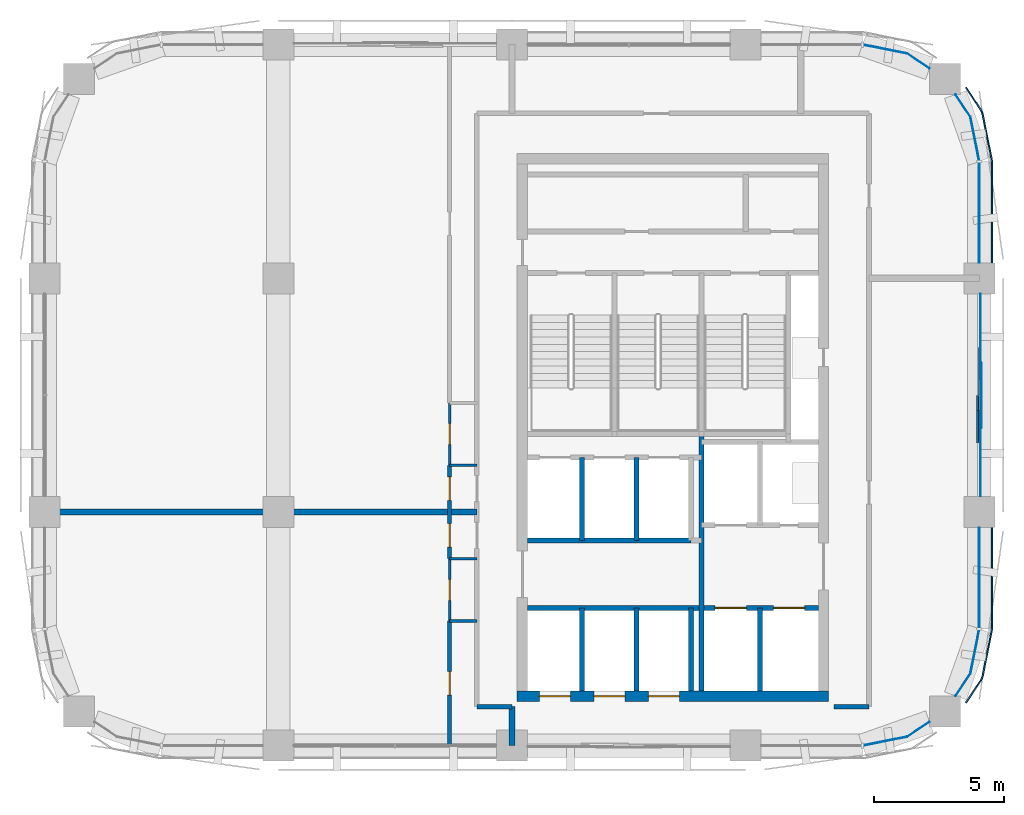
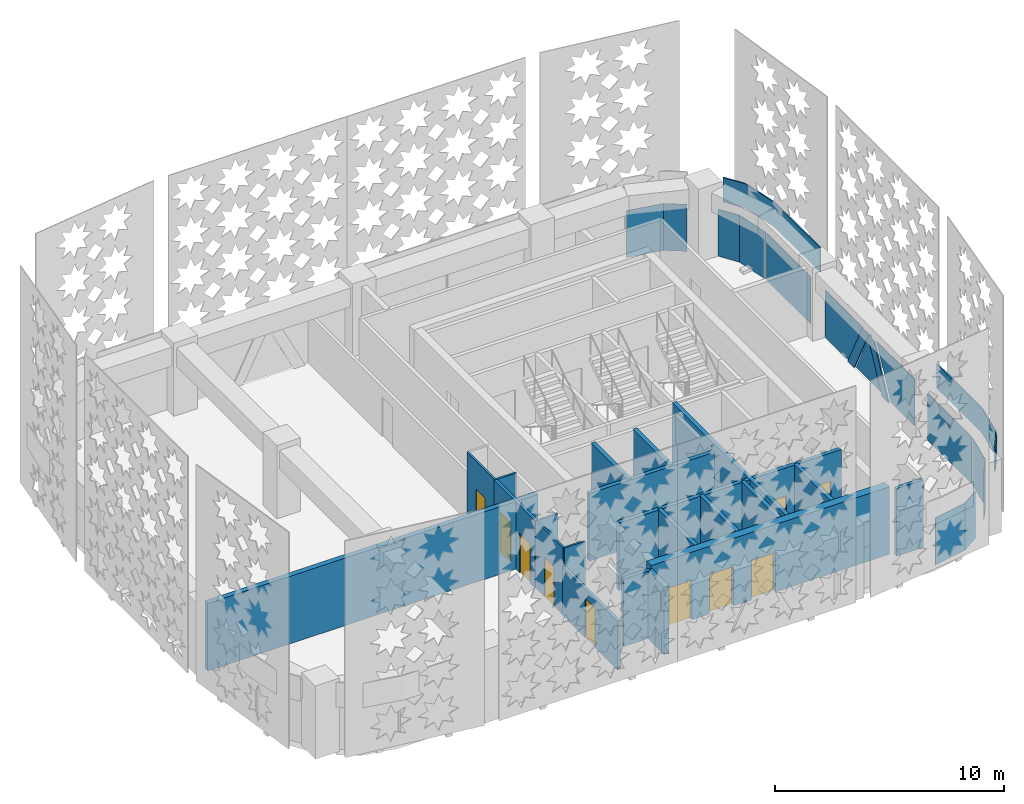
# One storey, part 6 of 14: 21 walls, 13 plates, 10 doors, 10 openings, 5 elements without a shape of their own.
"""IFC4 building model written with IfcOpenShell, lengths in metres."""

from ifc_helpers import new_model, si_unit, direction, frame, frame_2d, origin, origin_2d, place, context, subcontext, project, spatial, polyline, rectangle, outline, extrude, material, layer, layer_set, type_object, element, fill, aggregate, save


model = new_model("IFC4")

# Units and contexts
model_context = context("Model", 3, precision=1e-05, world=origin(), true_north=direction((0.0, 1.0)))
body_context = subcontext(model_context, "Body", "Model", "MODEL_VIEW")
ifc_project = project(units=[si_unit("LENGTHUNIT", "METRE"), si_unit("AREAUNIT", "SQUARE_METRE"), si_unit("VOLUMEUNIT", "CUBIC_METRE"), si_unit("PLANEANGLEUNIT", "RADIAN"), si_unit("MASSUNIT", "GRAM", prefix="KILO")], contexts=[model_context])

# Site, building, storey
site_placement = place(None, origin())
site = spatial("IfcSite", under=ifc_project, at=site_placement, CompositionType="ELEMENT")
building_placement = place(site_placement, origin())
building = spatial("IfcBuilding", under=site, at=building_placement, Name="Tessera Arch", CompositionType="ELEMENT")
storey_placement = place(building_placement, frame((0.0, 0.0, 269.60009765625)))
storey = spatial("IfcBuildingStorey", under=building, at=storey_placement, Name="L65", CompositionType="ELEMENT", Elevation=269.60009765625)

# Curtain wall, plates
ifc_material_1 = material(Name="CW2 curtain wall")
curtain_wall_type_1 = type_object("IfcCurtainWallType", Name="CW2 curtain wall", PredefinedType="NOTDEFINED", material=ifc_material_1)
curtain_wall_1_placement = place(storey_placement, origin())
curtain_wall_1 = element("IfcCurtainWall", 1, at=curtain_wall_1_placement, inside=storey, type_object=curtain_wall_type_1, Name="CW2 curtain wall E54.27/1 L65", PredefinedType="NOTDEFINED")
ifc_material_2 = material(Name="Clear low-e glass", Category="glass")
ifc_material_3 = material(Name="Clear low-e glass", Category="glass")
ifc_layer_1 = layer(ifc_material_3, 0.028076171875)
ifc_layer_set_1 = layer_set([ifc_layer_1], Name="CW2 glass panel")
plate_type_1 = type_object("IfcPlateType", Name="CW2 glass panel", PredefinedType="CURTAIN_PANEL", material=ifc_layer_set_1)
plate_1_placement = place(storey_placement, frame((54.0, 47.530029296875, 0.0), z_axis=(0.0, 0.0, 1.0), x_axis=(0.0, 1.0, 0.0)))
plate_1 = element("IfcPlate", 2, at=plate_1_placement, type_object=plate_type_1, material=ifc_material_2, Name="CW2 glass panel E54.27/1 1.1", PredefinedType="CURTAIN_PANEL", context=body_context, shape_type="SweptSolid", body=[
    extrude(rectangle(XDim=3.860107421875, YDim=0.028076171875, at=origin_2d()), origin(), (0.0, 0.0, 1.0), 2.5),
])
plate_2_placement = place(storey_placement, origin())
plate_2 = element("IfcPlate", 3, at=plate_2_placement, type_object=plate_type_1, material=ifc_material_2, Name="CW2 curved glass panel E54.27/1 2.1", PredefinedType="CURTAIN_PANEL", context=body_context, shape_type="SweptSolid", body=[
    extrude(outline(polyline([(53.644287109375, 51.216552734375), (53.978515625, 49.53662109375), (54.005859375, 49.5419921875), (53.670654296875, 51.2275390625), (53.094482421875, 52.08984375), (53.0712890625, 52.07421875), (53.644287109375, 51.216552734375)])), origin(), (0.0, 0.0, 1.0), 2.5),
])

# Curtain wall, plate
curtain_wall_2_placement = place(storey_placement, origin())
curtain_wall_2 = element("IfcCurtainWall", 4, at=curtain_wall_2_placement, inside=storey, type_object=curtain_wall_type_1, Name="CW2 curtain wall N54.18/0 L65", PredefinedType="NOTDEFINED")
plate_3_placement = place(storey_placement, origin())
plate_3 = element("IfcPlate", 5, at=plate_3_placement, type_object=plate_type_1, material=ifc_material_2, Name="CW2 curved glass panel N54.18/0 2.1", PredefinedType="CURTAIN_PANEL", context=body_context, shape_type="SweptSolid", body=[
    extrude(outline(polyline([(51.216552734375, 53.644287109375), (52.07421875, 53.0712890625), (52.08984375, 53.094482421875), (51.2275390625, 53.670654296875), (49.5419921875, 54.005859375), (49.53662109375, 53.978515625), (51.216552734375, 53.644287109375)])), origin(), (0.0, 0.0, 1.0), 2.5),
])
aggregate(curtain_wall_2, [plate_3])

curtain_wall_3_placement = place(storey_placement, origin())
curtain_wall_3 = element("IfcCurtainWall", 6, at=curtain_wall_3_placement, inside=storey, type_object=curtain_wall_type_1, Name="CW2 curtain wall S27.18/3 L65", PredefinedType="NOTDEFINED")
plate_4_placement = place(storey_placement, origin())
plate_4 = element("IfcPlate", 7, at=plate_4_placement, type_object=plate_type_1, material=ifc_material_2, Name="CW2 curved glass panel S27.18/3 2.1", PredefinedType="CURTAIN_PANEL", context=body_context, shape_type="SweptSolid", body=[
    extrude(outline(polyline([(51.216552734375, 27.355712890625), (49.53662109375, 27.021484375), (49.5419921875, 26.994140625), (51.2275390625, 27.329345703125), (52.08984375, 27.905517578125), (52.07421875, 27.9287109375), (51.216552734375, 27.355712890625)])), origin(), (0.0, 0.0, 1.0), 2.5),
])
aggregate(curtain_wall_3, [plate_4])

# Curtain wall, plates
curtain_wall_4_placement = place(storey_placement, origin())
curtain_wall_4 = element("IfcCurtainWall", 8, at=curtain_wall_4_placement, inside=storey, type_object=curtain_wall_type_1, Name="CW2 curtain wall E54.27/2 L65", PredefinedType="NOTDEFINED")
plate_5_placement = place(storey_placement, frame((54.0, 33.469970703125, 0.0), z_axis=(0.0, 0.0, 1.0), x_axis=(0.0, 1.0, 0.0)))
plate_5 = element("IfcPlate", 9, at=plate_5_placement, type_object=plate_type_1, material=ifc_material_2, Name="CW2 glass panel E54.27/2 1.1", PredefinedType="CURTAIN_PANEL", context=body_context, shape_type="SweptSolid", body=[
    extrude(rectangle(XDim=3.860107421875, YDim=0.028076171875, at=origin_2d()), origin(), (0.0, 0.0, 1.0), 2.5),
])
plate_6_placement = place(storey_placement, origin())
plate_6 = element("IfcPlate", 10, at=plate_6_placement, type_object=plate_type_1, material=ifc_material_2, Name="CW2 curved glass panel E54.27/2 2.1", PredefinedType="CURTAIN_PANEL", context=body_context, shape_type="SweptSolid", body=[
    extrude(outline(polyline([(53.644287109375, 29.783447265625), (53.0712890625, 28.92578125), (53.094482421875, 28.91015625), (53.670654296875, 29.7724609375), (54.005859375, 31.4580078125), (53.978515625, 31.46337890625), (53.644287109375, 29.783447265625)])), origin(), (0.0, 0.0, 1.0), 2.5),
])

# Plate
ifc_material_4 = material(Name="Pale anodised aluminium panel", Category="aluminium")
ifc_layer_2 = layer(ifc_material_4, 0.06005859375)
ifc_layer_set_2 = layer_set([ifc_layer_2], Name="CW2 spandrel panel")
plate_type_2 = type_object("IfcPlateType", Name="CW2 spandrel panel", PredefinedType="CURTAIN_PANEL", material=ifc_layer_set_2)
plate_7_placement = place(storey_placement, frame((0.0, 0.0, 2.599853515625)))
plate_7 = element("IfcPlate", 11, at=plate_7_placement, type_object=plate_type_2, Name="CW2 spandrel panel E54.27/1", PredefinedType="CURTAIN_PANEL", context=body_context, shape_type="SweptSolid", body=[
    extrude(outline(polyline([(54.449951171875, 49.499267578125), (54.449951171875, 45.60009765625), (54.510009765625, 45.60009765625), (54.510009765625, 49.500732421875), (54.507568359375, 49.550048828125), (54.500244140625, 49.598876953125), (54.157470703125, 51.322265625), (54.1455078125, 51.3701171875), (54.128662109375, 51.417236328125), (54.107421875, 51.462646484375), (54.08203125, 51.5048828125), (53.5068359375, 52.365234375), (53.45703125, 52.33203125), (54.03125, 51.47265625), (54.054443359375, 51.434326171875), (54.0732421875, 51.394287109375), (54.088134765625, 51.352783203125), (54.09912109375, 51.30908203125), (54.441162109375, 49.588623046875), (54.44775390625, 49.544189453125), (54.449951171875, 49.499267578125)])), origin(), (0.0, 0.0, 1.0), 1.300048828125),
])

aggregate(curtain_wall_1, [plate_1, plate_2, plate_7])

plate_8_placement = place(storey_placement, frame((0.0, 0.0, 2.599853515625)))
plate_8 = element("IfcPlate", 12, at=plate_8_placement, type_object=plate_type_2, Name="CW2 spandrel panel E54.27/2", PredefinedType="CURTAIN_PANEL", context=body_context, shape_type="SweptSolid", body=[
    extrude(outline(polyline([(54.03125, 29.52734375), (53.45703125, 28.66796875), (53.5068359375, 28.634765625), (54.08203125, 29.4951171875), (54.107421875, 29.537353515625), (54.128662109375, 29.582763671875), (54.1455078125, 29.6298828125), (54.157470703125, 29.677734375), (54.500244140625, 31.401123046875), (54.507568359375, 31.449951171875), (54.510009765625, 31.499267578125), (54.510009765625, 35.39990234375), (54.449951171875, 35.39990234375), (54.449951171875, 31.500732421875), (54.44775390625, 31.455810546875), (54.441162109375, 31.411376953125), (54.09912109375, 29.69091796875), (54.088134765625, 29.647216796875), (54.0732421875, 29.605712890625), (54.054443359375, 29.565673828125), (54.03125, 29.52734375)])), origin(), (0.0, 0.0, 1.0), 1.300048828125),
])

aggregate(curtain_wall_4, [plate_5, plate_6, plate_8])

# Curtain wall, plates
ifc_material_5 = material(Name="CW3 curtain wall")
curtain_wall_type_2 = type_object("IfcCurtainWallType", Name="CW3 curtain wall", PredefinedType="NOTDEFINED", material=ifc_material_5)
curtain_wall_5_placement = place(storey_placement, origin())
curtain_wall_5 = element("IfcCurtainWall", 13, at=curtain_wall_5_placement, inside=storey, type_object=curtain_wall_type_2, Name="CW3 curtain wall E54.27/0 L65", PredefinedType="NOTDEFINED")
ifc_material_6 = material(Name="Pale anodised aluminium panel", Category="aluminium")
ifc_layer_3 = layer(ifc_material_6, 0.06005859375)
ifc_layer_set_3 = layer_set([ifc_layer_3], Name="CW3 diagonal panel")
plate_type_3 = type_object("IfcPlateType", Name="CW3 diagonal panel", PredefinedType="CURTAIN_PANEL", material=ifc_layer_set_3)
plate_9_placement = place(storey_placement, frame((54.030029296875, 41.082275390625, 2.5), z_axis=(1.0, 0.0, 0.0), x_axis=(0.0, -1.0, 0.0)))
plate_9 = element("IfcPlate", 14, at=plate_9_placement, type_object=plate_type_3, Name="CW3 diagonal panel E54.27/0 1", PredefinedType="CURTAIN_PANEL", context=body_context, shape_type="SweptSolid", body=[
    extrude(outline(polyline([(0.0, 0.0), (0.564453125, 0.0), (-0.685546875, 2.5), (-1.25, 2.5), (0.0, 0.0)])), origin(), (0.0, 0.0, -1.0), 0.06005859375),
])
plate_10_placement = place(storey_placement, frame((53.969970703125, 40.482177734375, 2.5), z_axis=(1.0, 0.0, 0.0), x_axis=(0.0, -1.0, 0.0)))
plate_10 = element("IfcPlate", 15, at=plate_10_placement, type_object=plate_type_3, Name="CW3 diagonal panel E54.27/0 2", PredefinedType="CURTAIN_PANEL", context=body_context, shape_type="SweptSolid", body=[
    extrude(outline(polyline([(0.0, 0.0), (0.564453125, 0.0), (1.814453125, 2.5), (1.25, 2.5), (0.0, 0.0)])), origin(), (0.0, 0.0, -1.0), 0.06005859375),
])
ifc_material_7 = material(Name="Clear low-e glass", Category="glass")
ifc_layer_4 = layer(ifc_material_7, 0.028076171875)
ifc_layer_set_4 = layer_set([ifc_layer_4], Name="CW3 glass panel")
plate_type_4 = type_object("IfcPlateType", Name="CW3 glass panel", PredefinedType="CURTAIN_PANEL", material=ifc_layer_set_4)
plate_11_placement = place(storey_placement, frame((54.05810546875, 36.60009765625, 0.0), z_axis=(1.0, 0.0, 0.0), x_axis=(0.0, 1.0, 0.0)))
plate_11 = element("IfcPlate", 16, at=plate_11_placement, type_object=plate_type_4, material=ifc_material_2, Name="CW3 triangulated glass panel E54.27/0 1", PredefinedType="CURTAIN_PANEL", context=body_context, shape_type="SweptSolid", body=[
    extrude(outline(polyline([(0.0, 0.0), (2.067626953125, 0.0), (3.317626953125, 2.5), (0.0, 2.5), (0.0, 0.0)])), origin(), (0.0, 0.0, -1.0), 0.028076171875),
])
plate_12_placement = place(storey_placement, frame((54.0859375, 40.517822265625, 2.5), z_axis=(1.0, 0.0, 0.0), x_axis=(0.0, -1.0, 0.0)))
plate_12 = element("IfcPlate", 17, at=plate_12_placement, type_object=plate_type_4, material=ifc_material_2, Name="CW3 triangulated glass panel E54.27/0 2", PredefinedType="CURTAIN_PANEL", context=body_context, shape_type="SweptSolid", body=[
    extrude(outline(polyline([(0.0, 0.0), (0.03564453125, 0.0), (1.28564453125, 2.5), (-1.25, 2.5), (0.0, 0.0)])), origin(), (0.0, 0.0, -1.0), 0.028076171875),
])
plate_13_placement = place(storey_placement, frame((54.05810546875, 44.39990234375, 2.5), z_axis=(1.0, 0.0, 0.0), x_axis=(0.0, -1.0, 0.0)))
plate_13 = element("IfcPlate", 18, at=plate_13_placement, type_object=plate_type_4, material=ifc_material_2, Name="CW3 triangulated glass panel E54.27/0 3", PredefinedType="CURTAIN_PANEL", context=body_context, shape_type="SweptSolid", body=[
    extrude(outline(polyline([(0.0, 0.0), (3.317626953125, 0.0), (2.067626953125, 2.5), (0.0, 2.5), (0.0, 0.0)])), origin(), (0.0, 0.0, -1.0), 0.028076171875),
])
aggregate(curtain_wall_5, [plate_11, plate_12, plate_13, plate_9, plate_10])

# Wall, openings, doors
ifc_material_8 = material(Name="Concrete C50/60", Category="concrete")
ifc_layer_5 = layer(ifc_material_8, 0.39990234375)
ifc_layer_set_5 = layer_set([ifc_layer_5], Name="Core shell wall 400 C50-60")
wall_type_1 = type_object("IfcWallType", Name="Core shell wall 400 C50-60", PredefinedType="SHEAR", material=ifc_layer_set_5)
wall_1_placement = place(storey_placement, frame((36.199951171875, 28.89990234375, 0.0), z_axis=(0.0, 0.0, 1.0), x_axis=(1.0, 0.0, 0.0)))
wall_1 = element("IfcWall", 19, at=wall_1_placement, inside=storey, type_object=wall_type_1, Name="L65 C1 core wall S", PredefinedType="SHEAR", context=body_context, shape_type="SweptSolid", body=[
    extrude(rectangle(XDim=12.0, YDim=0.39990234375, at=frame_2d((6.0, 0.0))), origin(), (0.0, 0.0, 1.0), 3.599853515625),
])
opening_1_placement = place(wall_1_placement, frame((0.85009765625, 0.0, 0.0)))
opening_1 = element("IfcOpeningElement", 20, at=opening_1_placement, cuts=wall_1, Name="Opening L65-C01", PredefinedType="OPENING", context=body_context, shape_type="SweptSolid", body=[
    extrude(rectangle(XDim=1.199951171875, YDim=2.10009765625, at=frame_2d((0.60009765625, 1.050048828125))), frame((0.0, 0.2099609375, 0.0), z_axis=(0.0, -1.0, 0.0), x_axis=(1.0, 0.0, 0.0)), (0.0, 0.0, 1.0), 0.419921875),
])
opening_2_placement = place(wall_1_placement, frame((2.949951171875, 0.0, 0.0)))
opening_2 = element("IfcOpeningElement", 21, at=opening_2_placement, cuts=wall_1, Name="Opening L65-C03", PredefinedType="OPENING", context=body_context, shape_type="SweptSolid", body=[
    extrude(rectangle(XDim=1.199951171875, YDim=2.10009765625, at=frame_2d((0.60009765625, 1.050048828125))), frame((0.0, 0.2099609375, 0.0), z_axis=(0.0, -1.0, 0.0), x_axis=(1.0, 0.0, 0.0)), (0.0, 0.0, 1.0), 0.419921875),
])
opening_3_placement = place(wall_1_placement, frame((5.050048828125, 0.0, 0.0)))
opening_3 = element("IfcOpeningElement", 22, at=opening_3_placement, cuts=wall_1, Name="Opening L65-C05", PredefinedType="OPENING", context=body_context, shape_type="SweptSolid", body=[
    extrude(rectangle(XDim=1.199951171875, YDim=2.10009765625, at=frame_2d((0.60009765625, 1.050048828125))), frame((0.0, 0.2099609375, 0.0), z_axis=(0.0, -1.0, 0.0), x_axis=(1.0, 0.0, 0.0)), (0.0, 0.0, 1.0), 0.419921875),
])
ifc_material_9 = material(Name="Stainless steel AISI 304", Category="steel")
door_type_1 = type_object("IfcDoorType", Name="Sliding landing door 1200 x 2100", OperationType="SLIDING_TO_LEFT", PredefinedType="DOOR", material=ifc_material_9)
door_1_placement = place(opening_1_placement, origin())
door_1 = element("IfcDoor", 23, at=door_1_placement, inside=storey, type_object=door_type_1, Name="L65 HR1 lift landing door C01 type LD", OperationType="SLIDING_TO_LEFT", OverallHeight=2.10009765625, OverallWidth=1.199951171875, PredefinedType="DOOR", context=body_context, shape_type="SweptSolid", body=[
    extrude(rectangle(XDim=1.199951171875, YDim=2.10009765625, at=frame_2d((0.60009765625, 1.050048828125))), frame((0.0, 0.02490234375, 0.0), z_axis=(0.0, -1.0, 0.0), x_axis=(1.0, 0.0, 0.0)), (0.0, 0.0, 1.0), 0.050048828125),
])
fill(opening_1, door_1)
door_2_placement = place(opening_2_placement, origin())
door_2 = element("IfcDoor", 24, at=door_2_placement, inside=storey, type_object=door_type_1, Name="L65 HR2 lift landing door C03 type LD", OperationType="SLIDING_TO_LEFT", OverallHeight=2.10009765625, OverallWidth=1.199951171875, PredefinedType="DOOR", context=body_context, shape_type="SweptSolid", body=[
    extrude(rectangle(XDim=1.199951171875, YDim=2.10009765625, at=frame_2d((0.60009765625, 1.050048828125))), frame((0.0, 0.02490234375, 0.0), z_axis=(0.0, -1.0, 0.0), x_axis=(1.0, 0.0, 0.0)), (0.0, 0.0, 1.0), 0.050048828125),
])
fill(opening_2, door_2)
door_3_placement = place(opening_3_placement, origin())
door_3 = element("IfcDoor", 25, at=door_3_placement, inside=storey, type_object=door_type_1, Name="L65 HR3 lift landing door C05 type LD", OperationType="SLIDING_TO_LEFT", OverallHeight=2.10009765625, OverallWidth=1.199951171875, PredefinedType="DOOR", context=body_context, shape_type="SweptSolid", body=[
    extrude(rectangle(XDim=1.199951171875, YDim=2.10009765625, at=frame_2d((0.60009765625, 1.050048828125))), frame((0.0, 0.02490234375, 0.0), z_axis=(0.0, -1.0, 0.0), x_axis=(1.0, 0.0, 0.0)), (0.0, 0.0, 1.0), 0.050048828125),
])
fill(opening_3, door_3)

# Walls
ifc_material_10 = material(Name="Gypsum board on deep steel stud with mineral wool", Category="steel")
ifc_layer_6 = layer(ifc_material_10, 0.175048828125)
ifc_layer_set_6 = layer_set([ifc_layer_6], Name="Corridor wall 175 EI 60")
wall_type_2 = type_object("IfcWallType", Name="Corridor wall 175 EI 60", PredefinedType="PARTITIONING", material=ifc_layer_set_6)
for number, where, z_axis, x_axis, name in (
    (26, (34.64990234375, 28.5, 0.0), (0.0, 0.0, 1.0), (1.0, 0.0, 0.0), "L65 partition 1"),
    (27, (48.39990234375, 28.5, 0.0), (0.0, 0.0, 1.0), (1.0, 0.0, 0.0), "L65 partition 2"),
):
    element("IfcWall", number, at=place(storey_placement, frame(where, z_axis=z_axis, x_axis=x_axis)), inside=storey, type_object=wall_type_2, Name=name, PredefinedType="PARTITIONING", context=body_context, shape_type="SweptSolid", body=[
        extrude(rectangle(XDim=1.35009765625, YDim=0.175048828125, at=frame_2d((0.675048828125, 0.0))), origin(), (0.0, 0.0, 1.0), 3.599853515625),
    ])

# Wall, opening, door
ifc_material_11 = material(Name="Gypsum board on steel stud", Category="steel")
ifc_layer_7 = layer(ifc_material_11, 0.14990234375)
ifc_layer_set_7 = layer_set([ifc_layer_7], Name="Partition 150")
wall_type_3 = type_object("IfcWallType", Name="Partition 150", PredefinedType="PARTITIONING", material=ifc_layer_set_7)
wall_2_placement = place(storey_placement, frame((33.60009765625, 27.0, 0.0), z_axis=(0.0, 0.0, 1.0), x_axis=(0.0, 1.0, 0.0)))
wall_2 = element("IfcWall", 28, at=wall_2_placement, inside=storey, type_object=wall_type_3, Name="L65 partition 6", PredefinedType="PARTITIONING", context=body_context, shape_type="SweptSolid", body=[
    extrude(rectangle(XDim=4.800048828125, YDim=0.14990234375, at=frame_2d((2.39990234375, 0.0))), origin(), (0.0, 0.0, 1.0), 2.599853515625),
])
opening_4_placement = place(wall_2_placement, frame((1.949951171875, 0.0, 0.0)))
opening_4 = element("IfcOpeningElement", 29, at=opening_4_placement, cuts=wall_2, Name="Opening L65-D004", PredefinedType="OPENING", context=body_context, shape_type="SweptSolid", body=[
    extrude(rectangle(XDim=0.89990234375, YDim=2.10009765625, at=frame_2d((0.449951171875, 1.050048828125))), frame((0.0, 0.0849609375, 0.0), z_axis=(0.0, -1.0, 0.0), x_axis=(1.0, 0.0, 0.0)), (0.0, 0.0, 1.0), 0.169921875),
])
ifc_material_12 = material(Name="Timber door leaf", Category="wood")
door_type_2 = type_object("IfcDoorType", Name="Room door 900 x 2100", OperationType="SINGLE_SWING_LEFT", PredefinedType="DOOR", material=ifc_material_12)
door_4_placement = place(opening_4_placement, origin())
door_4 = element("IfcDoor", 30, at=door_4_placement, inside=storey, type_object=door_type_2, Name="L65 door D004 type D01", OperationType="SINGLE_SWING_RIGHT", OverallHeight=2.10009765625, OverallWidth=0.89990234375, PredefinedType="DOOR", context=body_context, shape_type="SweptSolid", body=[
    extrude(rectangle(XDim=0.89990234375, YDim=2.10009765625, at=frame_2d((0.449951171875, 1.050048828125))), frame((0.0, 0.02490234375, 0.0), z_axis=(0.0, -1.0, 0.0), x_axis=(1.0, 0.0, 0.0)), (0.0, 0.0, 1.0), 0.050048828125),
])
fill(opening_4, door_4)

# Wall, openings, doors
wall_3_placement = place(storey_placement, frame((33.60009765625, 34.199951171875, 0.0), z_axis=(0.0, 0.0, 1.0), x_axis=(0.0, 1.0, 0.0)))
wall_3 = element("IfcWall", 31, at=wall_3_placement, inside=storey, type_object=wall_type_3, Name="L65 partition 7", PredefinedType="PARTITIONING", context=body_context, shape_type="SweptSolid", body=[
    extrude(rectangle(XDim=3.60009765625, YDim=0.14990234375, at=frame_2d((1.800048828125, 0.0))), origin(), (0.0, 0.0, 1.0), 3.599853515625),
])
opening_5_placement = place(wall_3_placement, frame((0.449951171875, 0.0, 0.0)))
opening_5 = element("IfcOpeningElement", 32, at=opening_5_placement, cuts=wall_3, Name="Opening L65-D002", PredefinedType="OPENING", context=body_context, shape_type="SweptSolid", body=[
    extrude(rectangle(XDim=0.89990234375, YDim=2.10009765625, at=frame_2d((0.449951171875, 1.050048828125))), frame((0.0, 0.0849609375, 0.0), z_axis=(0.0, -1.0, 0.0), x_axis=(1.0, 0.0, 0.0)), (0.0, 0.0, 1.0), 0.169921875),
])
opening_6_placement = place(wall_3_placement, frame((2.25, 0.0, 0.0)))
opening_6 = element("IfcOpeningElement", 33, at=opening_6_placement, cuts=wall_3, Name="Opening L65-D007", PredefinedType="OPENING", context=body_context, shape_type="SweptSolid", body=[
    extrude(rectangle(XDim=0.89990234375, YDim=2.10009765625, at=frame_2d((0.449951171875, 1.050048828125))), frame((0.0, 0.0849609375, 0.0), z_axis=(0.0, -1.0, 0.0), x_axis=(1.0, 0.0, 0.0)), (0.0, 0.0, 1.0), 0.169921875),
])
door_5_placement = place(opening_5_placement, origin())
door_5 = element("IfcDoor", 34, at=door_5_placement, inside=storey, type_object=door_type_2, Name="L65 door D002 type D01", OperationType="SINGLE_SWING_RIGHT", OverallHeight=2.10009765625, OverallWidth=0.89990234375, PredefinedType="DOOR", context=body_context, shape_type="SweptSolid", body=[
    extrude(rectangle(XDim=0.89990234375, YDim=2.10009765625, at=frame_2d((0.449951171875, 1.050048828125))), frame((0.0, 0.02490234375, 0.0), z_axis=(0.0, -1.0, 0.0), x_axis=(1.0, 0.0, 0.0)), (0.0, 0.0, 1.0), 0.050048828125),
])
fill(opening_5, door_5)
door_6_placement = place(opening_6_placement, origin())
door_6 = element("IfcDoor", 35, at=door_6_placement, inside=storey, type_object=door_type_2, Name="L65 door D007 type D01", OperationType="SINGLE_SWING_RIGHT", OverallHeight=2.10009765625, OverallWidth=0.89990234375, PredefinedType="DOOR", context=body_context, shape_type="SweptSolid", body=[
    extrude(rectangle(XDim=0.89990234375, YDim=2.10009765625, at=frame_2d((0.449951171875, 1.050048828125))), frame((0.0, 0.02490234375, 0.0), z_axis=(0.0, -1.0, 0.0), x_axis=(1.0, 0.0, 0.0)), (0.0, 0.0, 1.0), 0.050048828125),
])
fill(opening_6, door_6)

# Walls
ifc_material_13 = material(Name="Double gypsum board on twin steel stud with acoustic mineral wool", Category="steel")
ifc_layer_8 = layer(ifc_material_13, 0.25)
ifc_layer_set_8 = layer_set([ifc_layer_8], Name="Party wall 250 EI 60")
wall_type_4 = type_object("IfcWallType", Name="Party wall 250 EI 60", PredefinedType="PARTITIONING", material=ifc_layer_set_8)
wall_4_placement = place(storey_placement, frame((18.0, 36.0, 0.0), z_axis=(0.0, 0.0, 1.0), x_axis=(1.0, 0.0, 0.0)))
element("IfcWall", 36, at=wall_4_placement, inside=storey, type_object=wall_type_4, Name="L65 partition 9", PredefinedType="PARTITIONING", context=body_context, shape_type="SweptSolid", body=[
    extrude(rectangle(XDim=16.64990234375, YDim=0.25, at=frame_2d((8.324951171875, 0.0))), origin(), (0.0, 0.0, 1.0), 3.599853515625),
])
wall_5_placement = place(storey_placement, frame((36.0, 27.0, 0.0), z_axis=(0.0, 0.0, 1.0), x_axis=(0.0, 1.0, 0.0)))
element("IfcWall", 37, at=wall_5_placement, inside=storey, type_object=wall_type_4, Name="L65 partition 11", PredefinedType="PARTITIONING", context=body_context, shape_type="SweptSolid", body=[
    extrude(rectangle(XDim=1.5, YDim=0.25, at=frame_2d((0.75, 0.0))), origin(), (0.0, 0.0, 1.0), 3.599853515625),
])
ifc_material_14 = material(Name="Concrete C40/50", Category="concrete")
ifc_layer_9 = layer(ifc_material_14, 0.199951171875)
ifc_layer_set_9 = layer_set([ifc_layer_9], Name="Shaft wall 200 EI 120")
wall_type_5 = type_object("IfcWallType", Name="Shaft wall 200 EI 120", PredefinedType="SOLIDWALL", material=ifc_layer_set_9)
wall_6_placement = place(storey_placement, frame((38.699951171875, 29.10009765625, 0.0), z_axis=(0.0, 0.0, 1.0), x_axis=(0.0, 1.0, 0.0)))
element("IfcWall", 38, at=wall_6_placement, inside=storey, type_object=wall_type_5, Name="L65 C1 shaft wall 1", PredefinedType="SOLIDWALL", context=body_context, shape_type="SweptSolid", body=[
    extrude(rectangle(XDim=3.199951171875, YDim=0.199951171875, at=frame_2d((1.60009765625, 0.0))), origin(), (0.0, 0.0, 1.0), 3.599853515625),
])
wall_7_placement = place(storey_placement, frame((38.699951171875, 34.89990234375, 0.0), z_axis=(0.0, 0.0, 1.0), x_axis=(0.0, 1.0, 0.0)))
element("IfcWall", 39, at=wall_7_placement, inside=storey, type_object=wall_type_5, Name="L65 C1 shaft wall 2", PredefinedType="SOLIDWALL", context=body_context, shape_type="SweptSolid", body=[
    extrude(rectangle(XDim=3.2001953125, YDim=0.199951171875, at=frame_2d((1.60009765625, 0.0))), origin(), (0.0, 0.0, 1.0), 3.599853515625),
])
wall_8_placement = place(storey_placement, frame((40.800048828125, 29.10009765625, 0.0), z_axis=(0.0, 0.0, 1.0), x_axis=(0.0, 1.0, 0.0)))
element("IfcWall", 40, at=wall_8_placement, inside=storey, type_object=wall_type_5, Name="L65 C1 shaft wall 5", PredefinedType="SOLIDWALL", context=body_context, shape_type="SweptSolid", body=[
    extrude(rectangle(XDim=3.199951171875, YDim=0.199951171875, at=frame_2d((1.60009765625, 0.0))), origin(), (0.0, 0.0, 1.0), 3.599853515625),
])
wall_9_placement = place(storey_placement, frame((40.800048828125, 34.89990234375, 0.0), z_axis=(0.0, 0.0, 1.0), x_axis=(0.0, 1.0, 0.0)))
element("IfcWall", 41, at=wall_9_placement, inside=storey, type_object=wall_type_5, Name="L65 C1 shaft wall 6", PredefinedType="SOLIDWALL", context=body_context, shape_type="SweptSolid", body=[
    extrude(rectangle(XDim=3.2001953125, YDim=0.199951171875, at=frame_2d((1.60009765625, 0.0))), origin(), (0.0, 0.0, 1.0), 3.599853515625),
])
wall_10_placement = place(storey_placement, frame((42.89990234375, 29.10009765625, 0.0), z_axis=(0.0, 0.0, 1.0), x_axis=(0.0, 1.0, 0.0)))
element("IfcWall", 42, at=wall_10_placement, inside=storey, type_object=wall_type_5, Name="L65 C1 shaft wall 7", PredefinedType="SOLIDWALL", context=body_context, shape_type="SweptSolid", body=[
    extrude(rectangle(XDim=3.199951171875, YDim=0.199951171875, at=frame_2d((1.60009765625, 0.0))), origin(), (0.0, 0.0, 1.0), 3.599853515625),
])
wall_11_placement = place(storey_placement, frame((43.300048828125, 29.10009765625, 0.0), z_axis=(0.0, 0.0, 1.0), x_axis=(0.0, 1.0, 0.0)))
element("IfcWall", 43, at=wall_11_placement, inside=storey, type_object=wall_type_5, Name="L65 C1 shaft wall 9", PredefinedType="SOLIDWALL", context=body_context, shape_type="SweptSolid", body=[
    extrude(rectangle(XDim=9.89990234375, YDim=0.199951171875, at=frame_2d((4.949951171875, 0.0))), origin(), (0.0, 0.0, 1.0), 3.599853515625),
])
wall_12_placement = place(storey_placement, frame((45.550048828125, 29.10009765625, 0.0), z_axis=(0.0, 0.0, 1.0), x_axis=(0.0, 1.0, 0.0)))
element("IfcWall", 44, at=wall_12_placement, inside=storey, type_object=wall_type_5, Name="L65 C1 shaft wall 13", PredefinedType="SOLIDWALL", context=body_context, shape_type="SweptSolid", body=[
    extrude(rectangle(XDim=3.199951171875, YDim=0.199951171875, at=frame_2d((1.60009765625, 0.0))), origin(), (0.0, 0.0, 1.0), 3.599853515625),
])

# Wall, openings, doors
wall_13_placement = place(storey_placement, frame((36.60009765625, 32.300048828125, 0.0), z_axis=(0.0, 0.0, 1.0), x_axis=(1.0, 0.0, 0.0)))
wall_13 = element("IfcWall", 45, at=wall_13_placement, inside=storey, type_object=wall_type_5, Name="L65 C1 shaft wall 18", PredefinedType="SOLIDWALL", context=body_context, shape_type="SweptSolid", body=[
    extrude(rectangle(XDim=11.199951171875, YDim=0.199951171875, at=frame_2d((5.60009765625, 0.0))), origin(), (0.0, 0.0, 1.0), 3.599853515625),
])
opening_7_placement = place(wall_13_placement, frame((7.22509765625, 0.0, 0.0)))
opening_7 = element("IfcOpeningElement", 46, at=opening_7_placement, cuts=wall_13, Name="Opening L65-C07", PredefinedType="OPENING", context=body_context, shape_type="SweptSolid", body=[
    extrude(rectangle(XDim=1.199951171875, YDim=2.10009765625, at=frame_2d((0.60009765625, 1.050048828125))), frame((0.0, 0.10986328125, 0.0), z_axis=(0.0, -1.0, 0.0), x_axis=(1.0, 0.0, 0.0)), (0.0, 0.0, 1.0), 0.219970703125),
])
opening_8_placement = place(wall_13_placement, frame((9.47509765625, 0.0, 0.0)))
opening_8 = element("IfcOpeningElement", 47, at=opening_8_placement, cuts=wall_13, Name="Opening L65-C08", PredefinedType="OPENING", context=body_context, shape_type="SweptSolid", body=[
    extrude(rectangle(XDim=1.199951171875, YDim=2.10009765625, at=frame_2d((0.60009765625, 1.050048828125))), frame((0.0, 0.10986328125, 0.0), z_axis=(0.0, -1.0, 0.0), x_axis=(1.0, 0.0, 0.0)), (0.0, 0.0, 1.0), 0.219970703125),
])
door_7_placement = place(opening_7_placement, origin())
door_7 = element("IfcDoor", 48, at=door_7_placement, inside=storey, type_object=door_type_1, Name="L65 FF1 lift landing door C07 type LD", OperationType="SLIDING_TO_LEFT", OverallHeight=2.10009765625, OverallWidth=1.199951171875, PredefinedType="DOOR", context=body_context, shape_type="SweptSolid", body=[
    extrude(rectangle(XDim=1.199951171875, YDim=2.10009765625, at=frame_2d((0.60009765625, 1.050048828125))), frame((0.0, 0.02490234375, 0.0), z_axis=(0.0, -1.0, 0.0), x_axis=(1.0, 0.0, 0.0)), (0.0, 0.0, 1.0), 0.050048828125),
])
fill(opening_7, door_7)
door_8_placement = place(opening_8_placement, origin())
door_8 = element("IfcDoor", 49, at=door_8_placement, inside=storey, type_object=door_type_1, Name="L65 FF2 lift landing door C08 type LD", OperationType="SLIDING_TO_LEFT", OverallHeight=2.10009765625, OverallWidth=1.199951171875, PredefinedType="DOOR", context=body_context, shape_type="SweptSolid", body=[
    extrude(rectangle(XDim=1.199951171875, YDim=2.10009765625, at=frame_2d((0.60009765625, 1.050048828125))), frame((0.0, 0.02490234375, 0.0), z_axis=(0.0, -1.0, 0.0), x_axis=(1.0, 0.0, 0.0)), (0.0, 0.0, 1.0), 0.050048828125),
])
fill(opening_8, door_8)

# Walls
wall_14_placement = place(storey_placement, frame((36.60009765625, 34.89990234375, 0.0), z_axis=(0.0, 0.0, 1.0), x_axis=(1.0, 0.0, 0.0)))
element("IfcWall", 50, at=wall_14_placement, inside=storey, type_object=wall_type_5, Name="L65 C1 shaft wall 20", PredefinedType="SOLIDWALL", context=body_context, shape_type="SweptSolid", body=[
    extrude(rectangle(XDim=6.2998046875, YDim=0.199951171875, at=frame_2d((3.14990234375, 0.0))), origin(), (0.0, 0.0, 1.0), 3.599853515625),
])
ifc_material_15 = material(Name="Moisture-resistant board on pre-plumbed steel stud", Category="steel")
ifc_layer_10 = layer(ifc_material_15, 0.10009765625)
ifc_layer_set_10 = layer_set([ifc_layer_10], Name="Wet wall 100")
wall_type_6 = type_object("IfcWallType", Name="Wet wall 100", PredefinedType="PARTITIONING", material=ifc_layer_set_10)
for number, where, z_axis, x_axis, name in (
    (51, (33.60009765625, 31.800048828125, 0.0), (0.0, 0.0, 1.0), (1.0, 0.0, 0.0), "L65 partition 14"),
    (52, (33.60009765625, 34.199951171875, 0.0), (0.0, 0.0, 1.0), (1.0, 0.0, 0.0), "L65 partition 15"),
    (53, (33.60009765625, 37.800048828125, 0.0), (0.0, 0.0, 1.0), (1.0, 0.0, 0.0), "L65 partition 16"),
):
    element("IfcWall", number, at=place(storey_placement, frame(where, z_axis=z_axis, x_axis=x_axis)), inside=storey, type_object=wall_type_6, Name=name, PredefinedType="PARTITIONING", context=body_context, shape_type="SweptSolid", body=[
        extrude(rectangle(XDim=1.0498046875, YDim=0.10009765625, at=frame_2d((0.52490234375, 0.0))), origin(), (0.0, 0.0, 1.0), 3.599853515625),
    ])

# Wall, opening, door
wall_15_placement = place(storey_placement, frame((33.60009765625, 31.800048828125, 0.0), z_axis=(0.0, 0.0, 1.0), x_axis=(0.0, 1.0, 0.0)))
wall_15 = element("IfcWall", 54, at=wall_15_placement, inside=storey, type_object=wall_type_6, Name="L65 partition 18", PredefinedType="PARTITIONING", context=body_context, shape_type="SweptSolid", body=[
    extrude(rectangle(XDim=2.39990234375, YDim=0.10009765625, at=frame_2d((1.199951171875, 0.0))), origin(), (0.0, 0.0, 1.0), 3.599853515625),
])
opening_9_placement = place(wall_15_placement, frame((0.800048828125, 0.0, 0.0)))
opening_9 = element("IfcOpeningElement", 55, at=opening_9_placement, cuts=wall_15, Name="Opening L65-D003", PredefinedType="OPENING", context=body_context, shape_type="SweptSolid", body=[
    extrude(rectangle(XDim=0.800048828125, YDim=2.10009765625, at=frame_2d((0.39990234375, 1.050048828125))), frame((0.0, 0.06005859375, 0.0), z_axis=(0.0, -1.0, 0.0), x_axis=(1.0, 0.0, 0.0)), (0.0, 0.0, 1.0), 0.1201171875),
])
ifc_material_16 = material(Name="Timber door leaf", Category="wood")
door_type_3 = type_object("IfcDoorType", Name="En-suite door 800 x 2100", OperationType="SINGLE_SWING_LEFT", PredefinedType="DOOR", material=ifc_material_16)
door_9_placement = place(opening_9_placement, origin())
door_9 = element("IfcDoor", 56, at=door_9_placement, inside=storey, type_object=door_type_3, Name="L65 door D003 type D02", OperationType="SINGLE_SWING_LEFT", OverallHeight=2.10009765625, OverallWidth=0.800048828125, PredefinedType="DOOR", context=body_context, shape_type="SweptSolid", body=[
    extrude(rectangle(XDim=0.800048828125, YDim=2.10009765625, at=frame_2d((0.39990234375, 1.050048828125))), frame((0.0, 0.02490234375, 0.0), z_axis=(0.0, -1.0, 0.0), x_axis=(1.0, 0.0, 0.0)), (0.0, 0.0, 1.0), 0.050048828125),
])
fill(opening_9, door_9)

wall_16_placement = place(storey_placement, frame((33.60009765625, 37.800048828125, 0.0), z_axis=(0.0, 0.0, 1.0), x_axis=(0.0, 1.0, 0.0)))
wall_16 = element("IfcWall", 57, at=wall_16_placement, inside=storey, type_object=wall_type_6, Name="L65 partition 19", PredefinedType="PARTITIONING", context=body_context, shape_type="SweptSolid", body=[
    extrude(rectangle(XDim=2.39990234375, YDim=0.10009765625, at=frame_2d((1.199951171875, 0.0))), origin(), (0.0, 0.0, 1.0), 3.599853515625),
])
opening_10_placement = place(wall_16_placement, frame((0.800048828125, 0.0, 0.0)))
opening_10 = element("IfcOpeningElement", 58, at=opening_10_placement, cuts=wall_16, Name="Opening L65-D008", PredefinedType="OPENING", context=body_context, shape_type="SweptSolid", body=[
    extrude(rectangle(XDim=0.800048828125, YDim=2.10009765625, at=frame_2d((0.39990234375, 1.050048828125))), frame((0.0, 0.06005859375, 0.0), z_axis=(0.0, -1.0, 0.0), x_axis=(1.0, 0.0, 0.0)), (0.0, 0.0, 1.0), 0.1201171875),
])
door_10_placement = place(opening_10_placement, origin())
door_10 = element("IfcDoor", 59, at=door_10_placement, inside=storey, type_object=door_type_3, Name="L65 door D008 type D02", OperationType="SINGLE_SWING_LEFT", OverallHeight=2.10009765625, OverallWidth=0.800048828125, PredefinedType="DOOR", context=body_context, shape_type="SweptSolid", body=[
    extrude(rectangle(XDim=0.800048828125, YDim=2.10009765625, at=frame_2d((0.39990234375, 1.050048828125))), frame((0.0, 0.02490234375, 0.0), z_axis=(0.0, -1.0, 0.0), x_axis=(1.0, 0.0, 0.0)), (0.0, 0.0, 1.0), 0.050048828125),
])
fill(opening_10, door_10)

save(model, "model.ifc")
